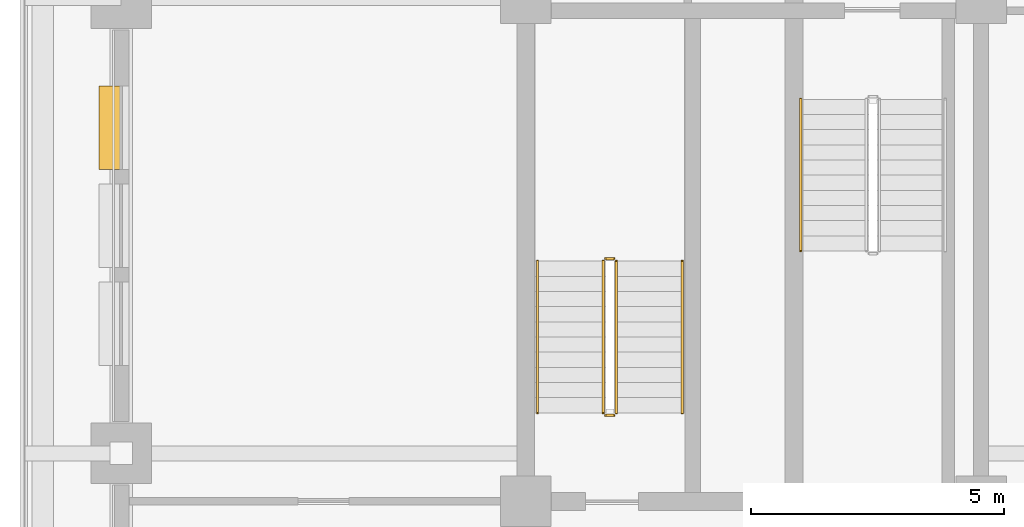
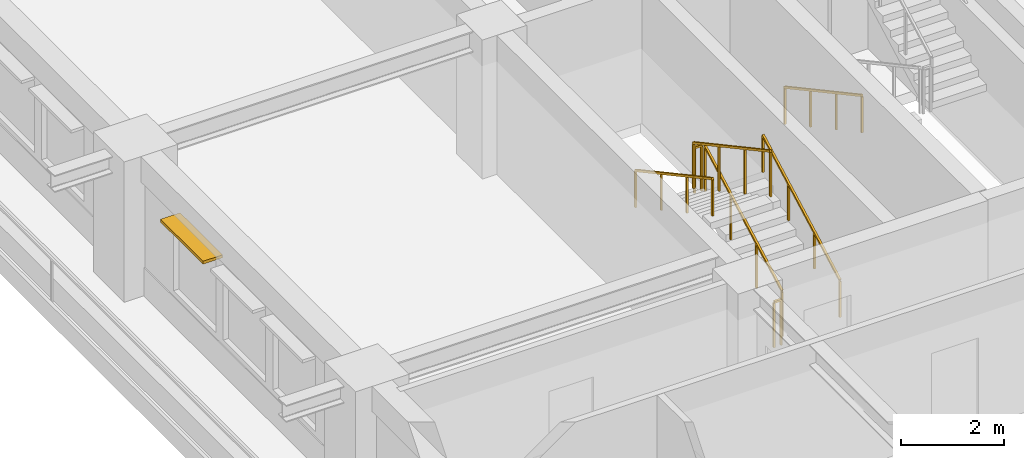
# One storey, part 9 of 15: 7 railings, 1 shading device.
"""IFC4 building model written with IfcOpenShell, lengths in metres."""

from ifc_helpers import new_model, si_unit, direction, frame, frame_2d, origin, origin_2d, place, context, subcontext, project, spatial, rectangle, extrude, material, layer, layer_set, type_object, element, save


model = new_model("IFC4")

# Units and contexts
model_context = context("Model", 3, precision=1e-05, world=origin(), true_north=direction((0.0, 1.0)))
body_context = subcontext(model_context, "Body", "Model", "MODEL_VIEW")
ifc_project = project(units=[si_unit("LENGTHUNIT", "METRE"), si_unit("AREAUNIT", "SQUARE_METRE"), si_unit("VOLUMEUNIT", "CUBIC_METRE"), si_unit("PLANEANGLEUNIT", "RADIAN"), si_unit("MASSUNIT", "GRAM", prefix="KILO")], contexts=[model_context])

# Site, building, storey
site_placement = place(None, origin())
site = spatial("IfcSite", under=ifc_project, at=site_placement, CompositionType="ELEMENT")
building_placement = place(site_placement, origin())
building = spatial("IfcBuilding", under=site, at=building_placement, Name="Zulmaris Gate Convention Tower", CompositionType="ELEMENT")
storey_placement = place(building_placement, frame((0.0, 0.0, 132.059814453125)))
storey = spatial("IfcBuildingStorey", under=building, at=storey_placement, Name="L33", CompositionType="ELEMENT", Elevation=132.059814453125)

# Railings
ifc_material_1 = material(Name="Painted Galvanised Steel", Category="steel")
railing_type_1 = type_object("IfcRailingType", Name="RL-STG-1150", PredefinedType="GUARDRAIL", material=ifc_material_1)
railing_1_placement = place(storey_placement, frame((-18.2099609375, -8.199951171875, 0.162353515625)))
element("IfcRailing", 1, at=railing_1_placement, inside=storey, type_object=railing_type_1, Name="L33 ST-3 stair guard 1", PredefinedType="GUARDRAIL", context=body_context, shape_type="SweptSolid", body=[
    extrude(rectangle(XDim=0.048095703125, YDim=0.048095703125, at=origin_2d()), frame((0.0, 0.0, 1.076171875), z_axis=(0.0, 0.8795616155, 0.475784998228), x_axis=(-1.0, 0.0, 0.0)), (0.0, 0.0, 1.0), 3.410888671875),
    extrude(rectangle(XDim=0.0419921875, YDim=0.0419921875, at=origin_2d()), origin(), (0.0, 0.0, 1.0), 1.052001953125),
    extrude(rectangle(XDim=0.0419921875, YDim=0.0419921875, at=origin_2d()), frame((0.0, 1.0, 0.541015625)), (0.0, 0.0, 1.0), 1.052001953125),
    extrude(rectangle(XDim=0.0419921875, YDim=0.0419921875, at=origin_2d()), frame((0.0, 2.0, 1.081787109375)), (0.0, 0.0, 1.0), 1.052001953125),
    extrude(rectangle(XDim=0.0419921875, YDim=0.0419921875, at=origin_2d()), frame((0.0, 3.0, 1.622802734375)), (0.0, 0.0, 1.0), 1.052001953125),
])
railing_2_placement = place(storey_placement, frame((-18.260009765625, -5.14990234375, 1.78515625)))
element("IfcRailing", 2, at=railing_2_placement, inside=storey, type_object=railing_type_1, Name="L33 ST-3 stair guard 2", PredefinedType="GUARDRAIL", context=body_context, shape_type="SweptSolid", body=[
    extrude(rectangle(XDim=0.048095703125, YDim=0.048095703125, at=origin_2d()), frame((0.0, 0.0, 1.076171875), z_axis=(-1.0, 0.0, 0.0), x_axis=(0.0, -1.0, 0.0)), (0.0, 0.0, 1.0), 0.159912109375),
    extrude(rectangle(XDim=0.0419921875, YDim=0.0419921875, at=origin_2d()), origin(), (0.0, 0.0, 1.0), 1.052001953125),
    extrude(rectangle(XDim=0.0419921875, YDim=0.0419921875, at=origin_2d()), frame((-0.159912109375, 0.0, 0.0)), (0.0, 0.0, 1.0), 1.052001953125),
])
railing_3_placement = place(storey_placement, frame((-18.469970703125, -5.199951171875, 1.947265625)))
element("IfcRailing", 3, at=railing_3_placement, inside=storey, type_object=railing_type_1, Name="L33 ST-3 stair guard 3", PredefinedType="GUARDRAIL", context=body_context, shape_type="SweptSolid", body=[
    extrude(rectangle(XDim=0.048095703125, YDim=0.048095703125, at=origin_2d()), frame((0.0, 0.0, 1.076171875), z_axis=(0.0, -0.8795616155, 0.475784998228), x_axis=(1.0, 0.0, 0.0)), (0.0, 0.0, 1.0), 3.410888671875),
    extrude(rectangle(XDim=0.0419921875, YDim=0.0419921875, at=origin_2d()), origin(), (0.0, 0.0, 1.0), 1.052001953125),
    extrude(rectangle(XDim=0.0419921875, YDim=0.0419921875, at=origin_2d()), frame((0.0, -1.0, 0.541015625)), (0.0, 0.0, 1.0), 1.052001953125),
    extrude(rectangle(XDim=0.0419921875, YDim=0.0419921875, at=origin_2d()), frame((0.0, -2.0, 1.081787109375)), (0.0, 0.0, 1.0), 1.052001953125),
    extrude(rectangle(XDim=0.0419921875, YDim=0.0419921875, at=origin_2d()), frame((0.0, -3.0, 1.622802734375)), (0.0, 0.0, 1.0), 1.052001953125),
])
railing_4_placement = place(storey_placement, frame((-18.260009765625, -8.25, 0.0)))
element("IfcRailing", 4, at=railing_4_placement, inside=storey, type_object=railing_type_1, Name="L33 ST-3 stair guard 4", PredefinedType="GUARDRAIL", context=body_context, shape_type="SweptSolid", body=[
    extrude(rectangle(XDim=0.048095703125, YDim=0.048095703125, at=origin_2d()), frame((0.0, 0.0, 1.076171875), z_axis=(-1.0, 0.0, 0.0), x_axis=(0.0, -1.0, 0.0)), (0.0, 0.0, 1.0), 0.159912109375),
    extrude(rectangle(XDim=0.0419921875, YDim=0.0419921875, at=origin_2d()), origin(), (0.0, 0.0, 1.0), 1.052001953125),
    extrude(rectangle(XDim=0.0419921875, YDim=0.0419921875, at=origin_2d()), frame((-0.159912109375, 0.0, 0.0)), (0.0, 0.0, 1.0), 1.052001953125),
])
ifc_material_2 = material(Name="Brushed Stainless Steel", Category="steel")
railing_type_2 = type_object("IfcRailingType", Name="RL-STH-900", PredefinedType="HANDRAIL", material=ifc_material_2)
railing_5_placement = place(storey_placement, frame((-14.570068359375, -2.0, 0.162353515625)))
element("IfcRailing", 5, at=railing_5_placement, inside=storey, type_object=railing_type_2, Name="L33 ST-1 stair handrail 1", PredefinedType="HANDRAIL", context=body_context, shape_type="SweptSolid", body=[
    extrude(rectangle(XDim=0.048095703125, YDim=0.048095703125, at=origin_2d()), frame((0.0, 0.0, 0.8759765625), z_axis=(0.0, -0.8795616155, 0.475784998228), x_axis=(1.0, 0.0, 0.0)), (0.0, 0.0, 1.0), 3.410888671875),
    extrude(rectangle(XDim=0.0419921875, YDim=0.0419921875, at=origin_2d()), origin(), (0.0, 0.0, 1.0), 0.851806640625),
    extrude(rectangle(XDim=0.0419921875, YDim=0.0419921875, at=origin_2d()), frame((0.0, -1.0, 0.541015625)), (0.0, 0.0, 1.0), 0.851806640625),
    extrude(rectangle(XDim=0.0419921875, YDim=0.0419921875, at=origin_2d()), frame((0.0, -2.0, 1.081787109375)), (0.0, 0.0, 1.0), 0.851806640625),
    extrude(rectangle(XDim=0.0419921875, YDim=0.0419921875, at=origin_2d()), frame((0.0, -3.0, 1.622802734375)), (0.0, 0.0, 1.0), 0.851806640625),
])
railing_6_placement = place(storey_placement, frame((-16.909912109375, -8.199951171875, 0.162353515625)))
element("IfcRailing", 6, at=railing_6_placement, inside=storey, type_object=railing_type_2, Name="L33 ST-3 stair handrail 1", PredefinedType="HANDRAIL", context=body_context, shape_type="SweptSolid", body=[
    extrude(rectangle(XDim=0.048095703125, YDim=0.048095703125, at=origin_2d()), frame((0.0, 0.0, 0.8759765625), z_axis=(0.0, 0.8795616155, 0.475784998228), x_axis=(-1.0, 0.0, 0.0)), (0.0, 0.0, 1.0), 3.410888671875),
    extrude(rectangle(XDim=0.0419921875, YDim=0.0419921875, at=origin_2d()), origin(), (0.0, 0.0, 1.0), 0.851806640625),
    extrude(rectangle(XDim=0.0419921875, YDim=0.0419921875, at=origin_2d()), frame((0.0, 1.0, 0.541015625)), (0.0, 0.0, 1.0), 0.851806640625),
    extrude(rectangle(XDim=0.0419921875, YDim=0.0419921875, at=origin_2d()), frame((0.0, 2.0, 1.081787109375)), (0.0, 0.0, 1.0), 0.851806640625),
    extrude(rectangle(XDim=0.0419921875, YDim=0.0419921875, at=origin_2d()), frame((0.0, 3.0, 1.622802734375)), (0.0, 0.0, 1.0), 0.851806640625),
])
railing_7_placement = place(storey_placement, frame((-19.77001953125, -5.199951171875, 1.947265625)))
element("IfcRailing", 7, at=railing_7_placement, inside=storey, type_object=railing_type_2, Name="L33 ST-3 stair handrail 2", PredefinedType="HANDRAIL", context=body_context, shape_type="SweptSolid", body=[
    extrude(rectangle(XDim=0.048095703125, YDim=0.048095703125, at=origin_2d()), frame((0.0, 0.0, 0.8759765625), z_axis=(0.0, -0.8795616155, 0.475784998228), x_axis=(1.0, 0.0, 0.0)), (0.0, 0.0, 1.0), 3.410888671875),
    extrude(rectangle(XDim=0.0419921875, YDim=0.0419921875, at=origin_2d()), origin(), (0.0, 0.0, 1.0), 0.851806640625),
    extrude(rectangle(XDim=0.0419921875, YDim=0.0419921875, at=origin_2d()), frame((0.0, -1.0, 0.541015625)), (0.0, 0.0, 1.0), 0.851806640625),
    extrude(rectangle(XDim=0.0419921875, YDim=0.0419921875, at=origin_2d()), frame((0.0, -2.0, 1.081787109375)), (0.0, 0.0, 1.0), 0.851806640625),
    extrude(rectangle(XDim=0.0419921875, YDim=0.0419921875, at=origin_2d()), frame((0.0, -3.0, 1.622802734375)), (0.0, 0.0, 1.0), 0.851806640625),
])

# Shading device
ifc_material_3 = material(Name="Glazed Ceramic Terracotta", Category="masonry")
ifc_layer = layer(ifc_material_3, 0.070068359375, Name="Glazed Ceramic Terracotta")
ifc_layer_set = layer_set([ifc_layer], Name="Glazed Ceramic Terracotta")
shading_device_type = type_object("IfcShadingDeviceType", Name="SHD-SUNSHADE-TC", PredefinedType="AWNING", material=ifc_layer_set)
shading_device_placement = place(storey_placement, frame((-28.219970703125, -1.739990234375, 2.530029296875), z_axis=(0.0, 0.0, 1.0), x_axis=(0.0, -1.0, 0.0)))
element("IfcShadingDevice", 8, at=shading_device_placement, inside=storey, type_object=shading_device_type, Name="SHD-EW-L33-W-1_0-1", PredefinedType="AWNING", context=body_context, shape_type="SweptSolid", body=[
    extrude(rectangle(XDim=1.64990234375, YDim=0.43994140625, at=frame_2d((0.824951171875, 0.0))), origin(), (0.0, 0.0, 1.0), 0.070068359375),
])

save(model, "model.ifc")
